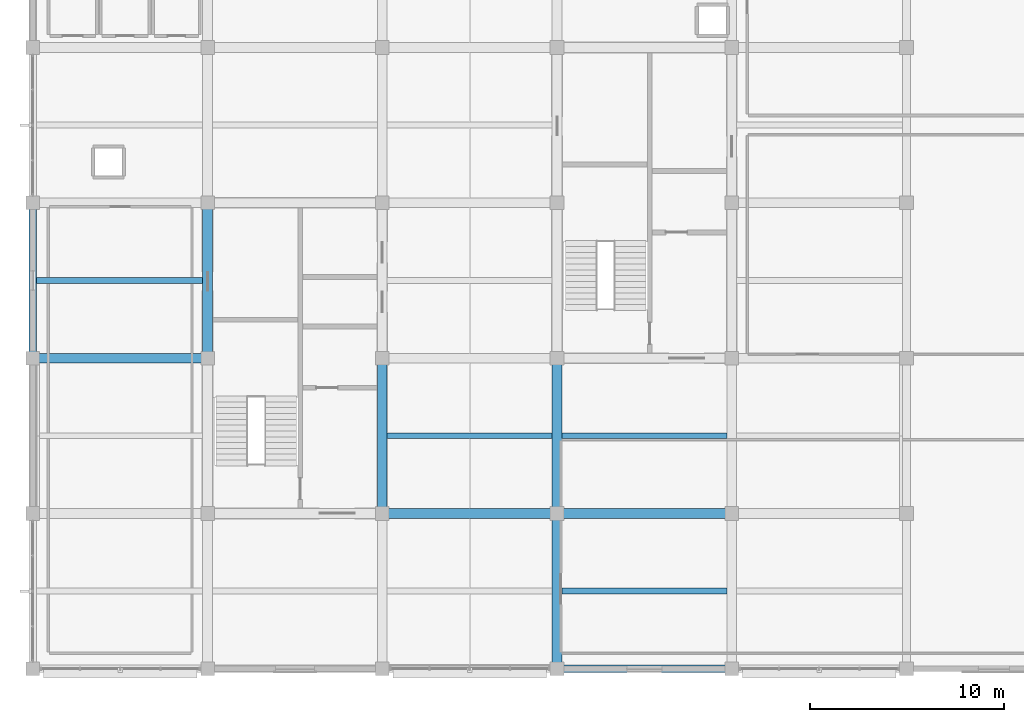
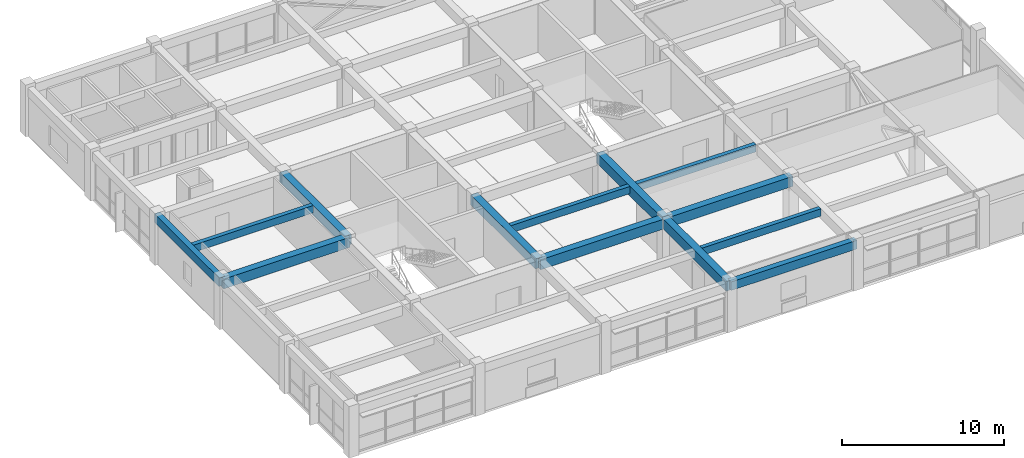
# One storey, part 3 of 13: 13 beams.
"""IFC4 building model written with IfcOpenShell, lengths in metres."""

from ifc_helpers import new_model, si_unit, direction, frame, origin, origin_2d, place, context, subcontext, project, spatial, rectangle, extrude, material, material_profile, profile_set, type_object, element, save


model = new_model("IFC4")

# Units and contexts
model_context = context("Model", 3, precision=1e-05, world=origin(), true_north=direction((0.0, 1.0)))
body_context = subcontext(model_context, "Body", "Model", "MODEL_VIEW")
ifc_project = project(units=[si_unit("LENGTHUNIT", "METRE"), si_unit("AREAUNIT", "SQUARE_METRE"), si_unit("VOLUMEUNIT", "CUBIC_METRE"), si_unit("PLANEANGLEUNIT", "RADIAN"), si_unit("MASSUNIT", "GRAM", prefix="KILO")], contexts=[model_context])

# Site, building, storey
site_placement = place(None, origin())
site = spatial("IfcSite", under=ifc_project, at=site_placement, CompositionType="ELEMENT")
building_placement = place(site_placement, origin())
building = spatial("IfcBuilding", under=site, at=building_placement, Name="Zaverband Oceanarium and Marine Research Institute", CompositionType="ELEMENT")
storey_placement = place(building_placement, frame((0.0, 0.0, 64.800048828125)))
storey = spatial("IfcBuildingStorey", under=building, at=storey_placement, Name="L16", CompositionType="ELEMENT", Elevation=64.800048828125)

# Beams
ifc_material = material(Name="Concrete C40/50", Category="concrete")
ifc_material_profile_1 = material_profile(ifc_material, rectangle(XDim=0.5, YDim=0.75, at=origin_2d()), Name="RC500x750")
ifc_profile_set_1 = profile_set([ifc_material_profile_1], Name="Concrete C40/50")
beam_type_1 = type_object("IfcBeamType", Name="BM-500x750", PredefinedType="BEAM", material=ifc_profile_set_1)
for number, where, z_axis, x_axis, name in (
    (1, (27.0, 80.0, 3.27490234375), (1.0, 0.0, 0.0), (0.0, 1.0, 0.0), "Primary floor girder BM-500x750"),
    (2, (36.0, 80.0, 3.27490234375), (1.0, 0.0, 0.0), (0.0, 1.0, 0.0), "Primary floor girder BM-500x750"),
    (3, (9.0, 88.0, 3.27490234375), (1.0, 0.0, 0.0), (0.0, 1.0, 0.0), "Primary floor girder BM-500x750"),
):
    element("IfcBeam", number, at=place(storey_placement, frame(where, z_axis=z_axis, x_axis=x_axis)), inside=storey, type_object=beam_type_1, Name=name, PredefinedType="BEAM", context=body_context, shape_type="SweptSolid", body=[
        extrude(rectangle(XDim=0.5, YDim=0.75, at=origin_2d()), origin(), (0.0, 0.0, 1.0), 9.0),
    ])
for number, where, z_axis, x_axis, name in (
    (4, (18.0, 88.0, 3.27490234375), (0.0, 1.0, 0.0), (-1.0, 0.0, 0.0), "Primary floor girder BM-500x750"),
    (5, (27.0, 80.0, 3.27490234375), (0.0, 1.0, 0.0), (-1.0, 0.0, 0.0), "Primary floor girder BM-500x750"),
    (6, (36.0, 72.0, 3.27490234375), (0.0, 1.0, 0.0), (-1.0, 0.0, 0.0), "Primary floor girder BM-500x750"),
    (7, (36.0, 80.0, 3.27490234375), (0.0, 1.0, 0.0), (-1.0, 0.0, 0.0), "Primary floor girder BM-500x750"),
):
    element("IfcBeam", number, at=place(storey_placement, frame(where, z_axis=z_axis, x_axis=x_axis)), inside=storey, type_object=beam_type_1, Name=name, PredefinedType="BEAM", context=body_context, shape_type="SweptSolid", body=[
        extrude(rectangle(XDim=0.5, YDim=0.75, at=origin_2d()), origin(), (0.0, 0.0, 1.0), 8.0),
    ])
ifc_material_profile_2 = material_profile(ifc_material, rectangle(XDim=0.300048828125, YDim=0.550048828125, at=origin_2d()), Name="RC300x550")
ifc_profile_set_2 = profile_set([ifc_material_profile_2], Name="Concrete C40/50")
beam_type_2 = type_object("IfcBeamType", Name="JST-300x550", PredefinedType="JOIST", material=ifc_profile_set_2)
beam_1_placement = place(storey_placement, frame((9.199951171875, 92.0, 3.375), z_axis=(1.0, 0.0, 0.0), x_axis=(0.0, 1.0, 0.0)))
element("IfcBeam", 8, at=beam_1_placement, inside=storey, type_object=beam_type_2, Name="Secondary floor joist JST-300x550", PredefinedType="JOIST", context=body_context, shape_type="SweptSolid", body=[
    extrude(rectangle(XDim=0.300048828125, YDim=0.550048828125, at=origin_2d()), origin(), (0.0, 0.0, 1.0), 8.550048828125),
])
for number, where, z_axis, x_axis, name in (
    (9, (27.25, 84.0, 3.375), (1.0, 0.0, 0.0), (0.0, 1.0, 0.0), "Secondary floor joist JST-300x550"),
    (10, (36.25, 76.0, 3.375), (1.0, 0.0, 0.0), (0.0, 1.0, 0.0), "Secondary floor joist JST-300x550"),
    (11, (36.25, 84.0, 3.375), (1.0, 0.0, 0.0), (0.0, 1.0, 0.0), "Secondary floor joist JST-300x550"),
):
    element("IfcBeam", number, at=place(storey_placement, frame(where, z_axis=z_axis, x_axis=x_axis)), inside=storey, type_object=beam_type_2, Name=name, PredefinedType="JOIST", context=body_context, shape_type="SweptSolid", body=[
        extrude(rectangle(XDim=0.300048828125, YDim=0.550048828125, at=origin_2d()), origin(), (0.0, 0.0, 1.0), 8.5),
    ])
ifc_material_profile_3 = material_profile(ifc_material, rectangle(XDim=0.39990234375, YDim=0.64990234375, at=origin_2d()), Name="RC400x650")
ifc_profile_set_3 = profile_set([ifc_material_profile_3], Name="Concrete C40/50")
beam_type_3 = type_object("IfcBeamType", Name="SPN-400x650", PredefinedType="SPANDREL", material=ifc_profile_set_3)
beam_2_placement = place(storey_placement, frame((36.0, 72.0, 3.324951171875), z_axis=(1.0, 0.0, 0.0), x_axis=(0.0, 1.0, 0.0)))
element("IfcBeam", 12, at=beam_2_placement, inside=storey, type_object=beam_type_3, Name="Perimeter spandrel beam SPN-400x650", PredefinedType="SPANDREL", context=body_context, shape_type="SweptSolid", body=[
    extrude(rectangle(XDim=0.39990234375, YDim=0.64990234375, at=origin_2d()), origin(), (0.0, 0.0, 1.0), 9.0),
])
beam_3_placement = place(storey_placement, frame((9.0, 88.0, 3.324951171875), z_axis=(0.0, 1.0, 0.0), x_axis=(-1.0, 0.0, 0.0)))
element("IfcBeam", 13, at=beam_3_placement, inside=storey, type_object=beam_type_3, Name="Perimeter spandrel beam SPN-400x650", PredefinedType="SPANDREL", context=body_context, shape_type="SweptSolid", body=[
    extrude(rectangle(XDim=0.39990234375, YDim=0.64990234375, at=origin_2d()), origin(), (0.0, 0.0, 1.0), 8.0),
])

save(model, "model.ifc")
